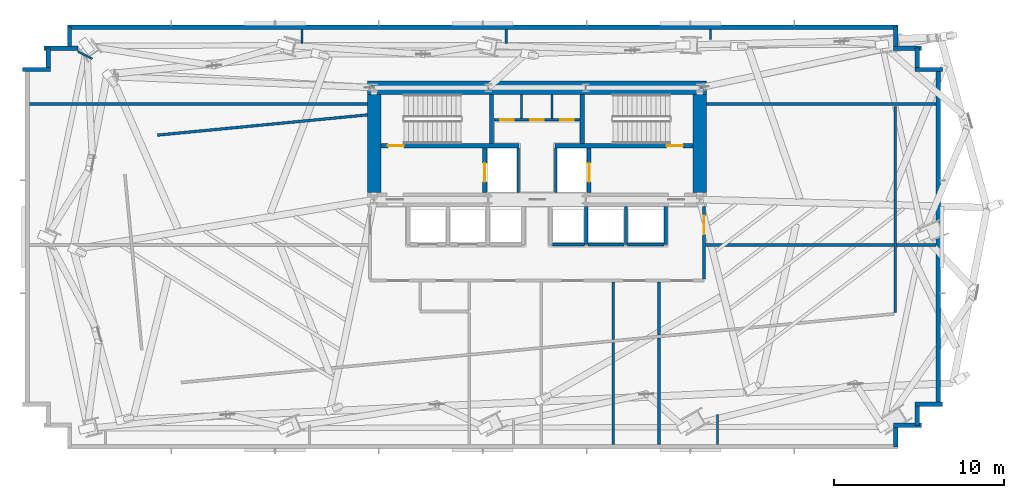
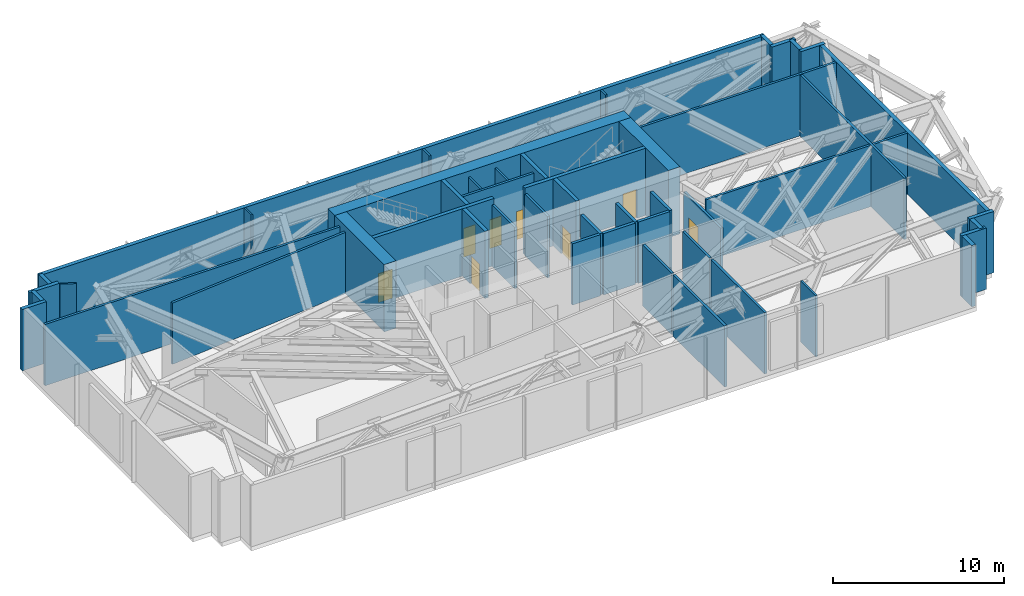
# One storey, part 7 of 11: 50 walls, 8 doors, 8 openings.
"""IFC4 building model written with IfcOpenShell, lengths in metres."""

from ifc_helpers import new_model, si_unit, direction, frame, frame_2d, origin, place, context, subcontext, project, spatial, rectangle, extrude, source, transform, mapped, material, layer, layer_set, type_object, type_shapes, element, fill, save


model = new_model("IFC4")

# Units and contexts
model_context = context("Model", 3, precision=1e-05, world=origin(), true_north=direction((0.0, 1.0)))
body_context = subcontext(model_context, "Body", "Model", "MODEL_VIEW")
ifc_project = project(units=[si_unit("LENGTHUNIT", "METRE"), si_unit("AREAUNIT", "SQUARE_METRE"), si_unit("VOLUMEUNIT", "CUBIC_METRE"), si_unit("PLANEANGLEUNIT", "RADIAN"), si_unit("MASSUNIT", "GRAM", prefix="KILO")], contexts=[model_context])

# Site, building, storey
site_placement = place(None, origin())
site = spatial("IfcSite", under=ifc_project, at=site_placement, CompositionType="ELEMENT")
building_placement = place(site_placement, origin())
building = spatial("IfcBuilding", under=site, at=building_placement, Name="Astriad Promenade Condominiums", CompositionType="ELEMENT")
storey_placement = place(building_placement, frame((0.0, 0.0, 67.800048828125)))
storey = spatial("IfcBuildingStorey", under=building, at=storey_placement, Name="L19", CompositionType="ELEMENT", Elevation=67.800048828125)

# Walls
ifc_material_1 = material(Name="Concrete C80/95", Category="concrete")
ifc_layer_1 = layer(ifc_material_1, 0.800048828125)
ifc_layer_set_1 = layer_set([ifc_layer_1], Name="Concrete C80/95")
wall_type_1 = type_object("IfcWallType", Name="CW-SHEAR-800", PredefinedType="SHEAR", material=ifc_layer_set_1)
wall_1_placement = place(storey_placement, frame((26.0, 24.0, 0.0), z_axis=(0.0, 0.0, 1.0), x_axis=(1.0, 0.0, 0.0)))
element("IfcWall", 1, at=wall_1_placement, inside=storey, type_object=wall_type_1, Name="CW-CORE-N-L19", PredefinedType="SHEAR", context=body_context, shape_type="SweptSolid", body=[
    extrude(rectangle(XDim=20.0, YDim=0.800048828125, at=frame_2d((10.0, 0.0))), origin(), (0.0, 0.0, 1.0), 4.800048828125),
])
for number, where, z_axis, x_axis, name in (
    (2, (26.39990234375, 17.802001953125, 0.0), (0.0, 0.0, 1.0), (0.0, 1.0, 0.0), "CW-CORE-W-L19"),
    (3, (45.60009765625, 17.802001953125, 0.0), (0.0, 0.0, 1.0), (0.0, 1.0, 0.0), "CW-CORE-E-L19"),
):
    element("IfcWall", number, at=place(storey_placement, frame(where, z_axis=z_axis, x_axis=x_axis)), inside=storey, type_object=wall_type_1, Name=name, PredefinedType="SHEAR", context=body_context, shape_type="SweptSolid", body=[
        extrude(rectangle(XDim=5.7958984375, YDim=0.800048828125, at=frame_2d((2.89794921875, 0.0))), origin(), (0.0, 0.0, 1.0), 4.800048828125),
    ])

# Wall, opening, door
ifc_material_2 = material(Name="Concrete C50/60", Category="concrete")
ifc_layer_2 = layer(ifc_material_2, 0.25)
ifc_layer_set_2 = layer_set([ifc_layer_2], Name="Concrete C50/60")
wall_type_2 = type_object("IfcWallType", Name="WALL-CORE-INT-250", PredefinedType="SOLIDWALL", material=ifc_layer_set_2)
wall_2_placement = place(storey_placement, frame((26.802001953125, 20.574951171875, 0.0), z_axis=(0.0, 0.0, 1.0), x_axis=(1.0, 0.0, 0.0)))
wall_2 = element("IfcWall", 4, at=wall_2_placement, inside=storey, type_object=wall_type_2, Name="CW-INT-H1-L19", PredefinedType="SOLIDWALL", context=body_context, shape_type="SweptSolid", body=[
    extrude(rectangle(XDim=8.14794921875, YDim=0.25, at=frame_2d((4.073974609375, 0.0))), origin(), (0.0, 0.0, 1.0), 4.800048828125),
])
opening_1_placement = place(wall_2_placement, frame((0.39794921875, 0.0, 0.0)))
opening_1 = element("IfcOpeningElement", 5, at=opening_1_placement, cuts=wall_2, Name="Opening FD90-ST-095", PredefinedType="OPENING", context=body_context, shape_type="SweptSolid", body=[
    extrude(rectangle(XDim=0.949951171875, YDim=2.06005859375, at=frame_2d((0.47509765625, 1.030029296875))), frame((0.0, 0.135009765625, 0.0), z_axis=(0.0, -1.0, 0.0), x_axis=(1.0, 0.0, 0.0)), (0.0, 0.0, 1.0), 0.27001953125),
])
ifc_material_3 = material(Name="Fire-Rated Hollow Metal Stair Door")
door_type_1 = type_object("IfcDoorType", Name="FD90-ST-095", OperationType="NOTDEFINED", PredefinedType="DOOR", material=ifc_material_3)
shared_shape_1 = source(origin(), body_context, "Body", "SweptSolid", [
    extrude(rectangle(XDim=0.949951171875, YDim=2.06005859375, at=frame_2d((0.47509765625, 1.030029296875))), frame((0.0, 0.02490234375, 0.0), z_axis=(0.0, -1.0, 0.0), x_axis=(1.0, 0.0, 0.0)), (0.0, 0.0, 1.0), 0.050048828125),
])
type_shapes(door_type_1, [shared_shape_1])
door_1_placement = place(opening_1_placement, origin())
door_1 = element("IfcDoor", 6, at=door_1_placement, inside=storey, type_object=door_type_1, Name="D-ST1-L19", OperationType="SINGLE_SWING_LEFT", OverallHeight=2.06005859375, OverallWidth=0.949951171875, PredefinedType="DOOR", context=body_context, shape_type="MappedRepresentation", body=[
    mapped(shared_shape_1, transform((0.0, 0.0, 0.0), scale=1.0)),
])
fill(opening_1, door_1)

wall_3_placement = place(storey_placement, frame((37.050048828125, 20.574951171875, 0.0), z_axis=(0.0, 0.0, 1.0), x_axis=(1.0, 0.0, 0.0)))
wall_3 = element("IfcWall", 7, at=wall_3_placement, inside=storey, type_object=wall_type_2, Name="CW-INT-H2-L19", PredefinedType="SOLIDWALL", context=body_context, shape_type="SweptSolid", body=[
    extrude(rectangle(XDim=8.14794921875, YDim=0.25, at=frame_2d((4.073974609375, 0.0))), origin(), (0.0, 0.0, 1.0), 4.800048828125),
])
opening_2_placement = place(wall_3_placement, frame((6.60009765625, 0.0, 0.0)))
opening_2 = element("IfcOpeningElement", 8, at=opening_2_placement, cuts=wall_3, Name="Opening FD90-ST-095", PredefinedType="OPENING", context=body_context, shape_type="SweptSolid", body=[
    extrude(rectangle(XDim=0.949951171875, YDim=2.06005859375, at=frame_2d((0.47509765625, 1.030029296875))), frame((0.0, 0.135009765625, 0.0), z_axis=(0.0, -1.0, 0.0), x_axis=(1.0, 0.0, 0.0)), (0.0, 0.0, 1.0), 0.27001953125),
])
door_2_placement = place(opening_2_placement, origin())
door_2 = element("IfcDoor", 9, at=door_2_placement, inside=storey, type_object=door_type_1, Name="D-ST2-L19", OperationType="SINGLE_SWING_RIGHT", OverallHeight=2.06005859375, OverallWidth=0.949951171875, PredefinedType="DOOR", context=body_context, shape_type="MappedRepresentation", body=[
    mapped(shared_shape_1, transform((0.0, 0.0, 0.0), scale=1.0)),
])
fill(opening_2, door_2)

# Walls
for number, where, z_axis, x_axis, name in (
    (10, (33.324951171875, 20.701904296875, 0.0), (0.0, 0.0, 1.0), (0.0, 1.0, 0.0), "CW-ST1-E-L19"),
    (11, (38.675048828125, 20.701904296875, 0.0), (0.0, 0.0, 1.0), (0.0, 1.0, 0.0), "CW-ST2-W-L19"),
):
    element("IfcWall", number, at=place(storey_placement, frame(where, z_axis=z_axis, x_axis=x_axis)), inside=storey, type_object=wall_type_2, Name=name, PredefinedType="SOLIDWALL", context=body_context, shape_type="SweptSolid", body=[
        extrude(rectangle(XDim=2.89599609375, YDim=0.25, at=frame_2d((1.447998046875, 0.0))), origin(), (0.0, 0.0, 1.0), 4.800048828125),
    ])

# Wall, opening, door
wall_4_placement = place(storey_placement, frame((32.925048828125, 17.802001953125, 0.0), z_axis=(0.0, 0.0, 1.0), x_axis=(0.0, 1.0, 0.0)))
wall_4 = element("IfcWall", 12, at=wall_4_placement, inside=storey, type_object=wall_type_2, Name="CW-FFL1-W-L19", PredefinedType="SOLIDWALL", context=body_context, shape_type="SweptSolid", body=[
    extrude(rectangle(XDim=2.64599609375, YDim=0.25, at=frame_2d((1.322998046875, 0.0))), origin(), (0.0, 0.0, 1.0), 4.800048828125),
])
opening_3_placement = place(wall_4_placement, frame((0.64794921875, 0.0, 0.0)))
opening_3 = element("IfcOpeningElement", 13, at=opening_3_placement, cuts=wall_4, Name="Opening LD-FFL-1122", PredefinedType="OPENING", context=body_context, shape_type="SweptSolid", body=[
    extrude(rectangle(XDim=1.10009765625, YDim=2.080078125, at=frame_2d((0.550048828125, 1.0400390625))), frame((0.0, 0.135009765625, 0.0), z_axis=(0.0, -1.0, 0.0), x_axis=(1.0, 0.0, 0.0)), (0.0, 0.0, 1.0), 0.27001953125),
])
ifc_material_4 = material(Name="Brushed Stainless Steel Fire Elevator Landing Door", Category="steel")
door_type_2 = type_object("IfcDoorType", Name="LD-FFL-1122", OperationType="NOTDEFINED", PredefinedType="DOOR", material=ifc_material_4)
shared_shape_2 = source(origin(), body_context, "Body", "SweptSolid", [
    extrude(rectangle(XDim=1.10009765625, YDim=2.080078125, at=frame_2d((0.550048828125, 1.0400390625))), frame((0.0, 0.02490234375, 0.0), z_axis=(0.0, -1.0, 0.0), x_axis=(1.0, 0.0, 0.0)), (0.0, 0.0, 1.0), 0.050048828125),
])
type_shapes(door_type_2, [shared_shape_2])
door_3_placement = place(opening_3_placement, origin())
door_3 = element("IfcDoor", 14, at=door_3_placement, inside=storey, type_object=door_type_2, Name="Elevator Landing Door FFL-1 (L19)", OperationType="SLIDING_TO_LEFT", OverallHeight=2.080078125, OverallWidth=1.10009765625, PredefinedType="DOOR", context=body_context, shape_type="MappedRepresentation", body=[
    mapped(shared_shape_2, transform((0.0, 0.0, 0.0), scale=1.0)),
])
fill(opening_3, door_3)

wall_5_placement = place(storey_placement, frame((39.074951171875, 17.802001953125, 0.0), z_axis=(0.0, 0.0, 1.0), x_axis=(0.0, 1.0, 0.0)))
wall_5 = element("IfcWall", 15, at=wall_5_placement, inside=storey, type_object=wall_type_2, Name="CW-FFL2-E-L19", PredefinedType="SOLIDWALL", context=body_context, shape_type="SweptSolid", body=[
    extrude(rectangle(XDim=2.64599609375, YDim=0.25, at=frame_2d((1.322998046875, 0.0))), origin(), (0.0, 0.0, 1.0), 4.800048828125),
])
opening_4_placement = place(wall_5_placement, frame((0.64794921875, 0.0, 0.0)))
opening_4 = element("IfcOpeningElement", 16, at=opening_4_placement, cuts=wall_5, Name="Opening LD-FFL-1122", PredefinedType="OPENING", context=body_context, shape_type="SweptSolid", body=[
    extrude(rectangle(XDim=1.10009765625, YDim=2.080078125, at=frame_2d((0.550048828125, 1.0400390625))), frame((0.0, 0.135009765625, 0.0), z_axis=(0.0, -1.0, 0.0), x_axis=(1.0, 0.0, 0.0)), (0.0, 0.0, 1.0), 0.27001953125),
])
door_4_placement = place(opening_4_placement, origin())
door_4 = element("IfcDoor", 17, at=door_4_placement, inside=storey, type_object=door_type_2, Name="Elevator Landing Door FFL-2 (L19)", OperationType="SLIDING_TO_RIGHT", OverallHeight=2.080078125, OverallWidth=1.10009765625, PredefinedType="DOOR", context=body_context, shape_type="MappedRepresentation", body=[
    mapped(shared_shape_2, transform((0.0, 0.0, 0.0), scale=1.0)),
])
fill(opening_4, door_4)

# Walls
ifc_material_5 = material(Name="Fire-Rated Gypsum Partition")
ifc_layer_3 = layer(ifc_material_5, 0.159912109375)
ifc_layer_set_3 = layer_set([ifc_layer_3], Name="Fire-Rated Gypsum Partition")
wall_type_3 = type_object("IfcWallType", Name="WALL-CORR-160", PredefinedType="PARTITIONING", material=ifc_layer_set_3)
for number, where, z_axis, x_axis, name in (
    (18, (34.89990234375, 17.802001953125, 0.0), (0.0, 0.0, 1.0), (0.0, 1.0, 0.0), "CW-FFL1-E-L19"),
    (19, (37.10009765625, 17.802001953125, 0.0), (0.0, 0.0, 1.0), (0.0, 1.0, 0.0), "CW-FFL2-W-L19"),
):
    element("IfcWall", number, at=place(storey_placement, frame(where, z_axis=z_axis, x_axis=x_axis)), inside=storey, type_object=wall_type_3, Name=name, PredefinedType="PARTITIONING", context=body_context, shape_type="SweptSolid", body=[
        extrude(rectangle(XDim=2.64599609375, YDim=0.159912109375, at=frame_2d((1.322998046875, 0.0))), origin(), (0.0, 0.0, 1.0), 4.3798828125),
    ])

# Wall, openings, doors
wall_6_placement = place(storey_placement, frame((33.451904296875, 22.10009765625, 0.0), z_axis=(0.0, 0.0, 1.0), x_axis=(1.0, 0.0, 0.0)))
wall_6 = element("IfcWall", 20, at=wall_6_placement, inside=storey, type_object=wall_type_3, Name="CW-AUX-N-L19", PredefinedType="PARTITIONING", context=body_context, shape_type="SweptSolid", body=[
    extrude(rectangle(XDim=5.09619140625, YDim=0.159912109375, at=frame_2d((2.548095703125, 0.0))), origin(), (0.0, 0.0, 1.0), 4.3798828125),
])
opening_5_placement = place(wall_6_placement, frame((0.387939453125, 0.0, 0.0)))
opening_5 = element("IfcOpeningElement", 21, at=opening_5_placement, cuts=wall_6, Name="Opening FD60-SV-080", PredefinedType="OPENING", context=body_context, shape_type="SweptSolid", body=[
    extrude(rectangle(XDim=0.800048828125, YDim=2.050048828125, at=frame_2d((0.39990234375, 1.02490234375))), frame((0.0, 0.08984375, 0.0), z_axis=(0.0, -1.0, 0.0), x_axis=(1.0, 0.0, 0.0)), (0.0, 0.0, 1.0), 0.179931640625),
])
opening_6_placement = place(wall_6_placement, frame((2.14794921875, 0.0, 0.0)))
opening_6 = element("IfcOpeningElement", 22, at=opening_6_placement, cuts=wall_6, Name="Opening FD60-SV-080", PredefinedType="OPENING", context=body_context, shape_type="SweptSolid", body=[
    extrude(rectangle(XDim=0.800048828125, YDim=2.050048828125, at=frame_2d((0.39990234375, 1.02490234375))), frame((0.0, 0.08984375, 0.0), z_axis=(0.0, -1.0, 0.0), x_axis=(1.0, 0.0, 0.0)), (0.0, 0.0, 1.0), 0.179931640625),
])
opening_7_placement = place(wall_6_placement, frame((3.907958984375, 0.0, 0.0)))
opening_7 = element("IfcOpeningElement", 23, at=opening_7_placement, cuts=wall_6, Name="Opening FD60-SV-080", PredefinedType="OPENING", context=body_context, shape_type="SweptSolid", body=[
    extrude(rectangle(XDim=0.800048828125, YDim=2.050048828125, at=frame_2d((0.39990234375, 1.02490234375))), frame((0.0, 0.08984375, 0.0), z_axis=(0.0, -1.0, 0.0), x_axis=(1.0, 0.0, 0.0)), (0.0, 0.0, 1.0), 0.179931640625),
])
ifc_material_6 = material(Name="Fire-Rated Riser Closet Door")
door_type_3 = type_object("IfcDoorType", Name="FD60-SV-080", OperationType="NOTDEFINED", PredefinedType="DOOR", material=ifc_material_6)
shared_shape_3 = source(origin(), body_context, "Body", "SweptSolid", [
    extrude(rectangle(XDim=0.800048828125, YDim=2.050048828125, at=frame_2d((0.39990234375, 1.02490234375))), frame((0.0, 0.02490234375, 0.0), z_axis=(0.0, -1.0, 0.0), x_axis=(1.0, 0.0, 0.0)), (0.0, 0.0, 1.0), 0.050048828125),
])
type_shapes(door_type_3, [shared_shape_3])
door_5_placement = place(opening_5_placement, origin())
door_5 = element("IfcDoor", 24, at=door_5_placement, inside=storey, type_object=door_type_3, Name="D-AUX1-L19", OperationType="SINGLE_SWING_LEFT", OverallHeight=2.050048828125, OverallWidth=0.800048828125, PredefinedType="DOOR", context=body_context, shape_type="MappedRepresentation", body=[
    mapped(shared_shape_3, transform((0.0, 0.0, 0.0), scale=1.0)),
])
fill(opening_5, door_5)
door_6_placement = place(opening_6_placement, origin())
door_6 = element("IfcDoor", 25, at=door_6_placement, inside=storey, type_object=door_type_3, Name="D-AUX2-L19", OperationType="SINGLE_SWING_RIGHT", OverallHeight=2.050048828125, OverallWidth=0.800048828125, PredefinedType="DOOR", context=body_context, shape_type="MappedRepresentation", body=[
    mapped(shared_shape_3, transform((0.0, 0.0, 0.0), scale=1.0)),
])
fill(opening_6, door_6)
door_7_placement = place(opening_7_placement, origin())
door_7 = element("IfcDoor", 26, at=door_7_placement, inside=storey, type_object=door_type_3, Name="D-AUX3-L19", OperationType="SINGLE_SWING_LEFT", OverallHeight=2.050048828125, OverallWidth=0.800048828125, PredefinedType="DOOR", context=body_context, shape_type="MappedRepresentation", body=[
    mapped(shared_shape_3, transform((0.0, 0.0, 0.0), scale=1.0)),
])
fill(opening_7, door_7)

# Walls
wall_7_placement = place(storey_placement, frame((57.1298828125, 22.89697265625, 0.0), z_axis=(0.0, 0.0, 1.0), x_axis=(0.0, -1.0, 0.0)))
element("IfcWall", 27, at=wall_7_placement, inside=storey, type_object=wall_type_3, Name="PT-L19-BTR-01", PredefinedType="PARTITIONING", context=body_context, shape_type="SweptSolid", body=[
    extrude(rectangle(XDim=12.161865234375, YDim=0.159912109375, at=frame_2d((6.0810546875, 0.0))), origin(), (0.0, 0.0, 1.0), 4.3798828125),
])
wall_8_placement = place(storey_placement, frame((13.615966796875, 21.199951171875, 0.0), z_axis=(0.0, 0.0, 1.0), x_axis=(0.995389626861, 0.095913975718, 0.0)))
element("IfcWall", 28, at=wall_8_placement, inside=storey, type_object=wall_type_3, Name="PT-L19-BTR-04", PredefinedType="PARTITIONING", context=body_context, shape_type="SweptSolid", body=[
    extrude(rectangle(XDim=12.439453125, YDim=0.159912109375, at=frame_2d((6.2197265625, 0.0))), origin(), (0.0, 0.0, 1.0), 4.3798828125),
])
wall_9_placement = place(storey_placement, frame((6.06201171875, 23.0400390625, 0.0), z_axis=(0.0, 0.0, 1.0), x_axis=(1.0, 0.0, 0.0)))
element("IfcWall", 29, at=wall_9_placement, inside=storey, type_object=wall_type_3, Name="PT-L19-OUTW", PredefinedType="PARTITIONING", context=body_context, shape_type="SweptSolid", body=[
    extrude(rectangle(XDim=19.93603515625, YDim=0.159912109375, at=frame_2d((9.968017578125, 0.0))), origin(), (0.0, 0.0, 1.0), 4.3798828125),
])
wall_10_placement = place(storey_placement, frame((46.001953125, 23.0400390625, 0.0), z_axis=(0.0, 0.0, 1.0), x_axis=(1.0, 0.0, 0.0)))
element("IfcWall", 30, at=wall_10_placement, inside=storey, type_object=wall_type_3, Name="PT-L19-OUTE", PredefinedType="PARTITIONING", context=body_context, shape_type="SweptSolid", body=[
    extrude(rectangle(XDim=13.5361328125, YDim=0.159912109375, at=frame_2d((6.76806640625, 0.0))), origin(), (0.0, 0.0, 1.0), 4.3798828125),
])

# Wall, opening, door
wall_11_placement = place(storey_placement, frame((45.85009765625, 12.701904296875, 0.0), z_axis=(0.0, 0.0, 1.0), x_axis=(0.0, 1.0, 0.0)))
wall_11 = element("IfcWall", 31, at=wall_11_placement, inside=storey, type_object=wall_type_3, Name="PT-L19-PCE", PredefinedType="PARTITIONING", context=body_context, shape_type="SweptSolid", body=[
    extrude(rectangle(XDim=4.296142578125, YDim=0.159912109375, at=frame_2d((2.14794921875, 0.0))), origin(), (0.0, 0.0, 1.0), 3.576171875),
])
opening_8_placement = place(wall_11_placement, frame((2.64794921875, 0.0, 0.0)))
opening_8 = element("IfcOpeningElement", 32, at=opening_8_placement, cuts=wall_11, Name="Opening FD90-REF-1121", PredefinedType="OPENING", context=body_context, shape_type="SweptSolid", body=[
    extrude(rectangle(XDim=1.10009765625, YDim=2.06005859375, at=frame_2d((0.550048828125, 1.030029296875))), frame((0.0, 0.08984375, 0.0), z_axis=(0.0, -1.0, 0.0), x_axis=(1.0, 0.0, 0.0)), (0.0, 0.0, 1.0), 0.179931640625),
])
ifc_material_7 = material(Name="Fire-Rated Refuge Door")
door_type_4 = type_object("IfcDoorType", Name="FD90-REF-1121", OperationType="NOTDEFINED", PredefinedType="DOOR", material=ifc_material_7)
shared_shape_4 = source(origin(), body_context, "Body", "SweptSolid", [
    extrude(rectangle(XDim=1.10009765625, YDim=2.06005859375, at=frame_2d((0.550048828125, 1.030029296875))), frame((0.0, 0.02490234375, 0.0), z_axis=(0.0, -1.0, 0.0), x_axis=(1.0, 0.0, 0.0)), (0.0, 0.0, 1.0), 0.050048828125),
])
type_shapes(door_type_4, [shared_shape_4])
door_8_placement = place(opening_8_placement, origin())
door_8 = element("IfcDoor", 33, at=door_8_placement, inside=storey, type_object=door_type_4, Name="D-L19-REFE", OperationType="SINGLE_SWING_LEFT", OverallHeight=2.06005859375, OverallWidth=1.10009765625, PredefinedType="DOOR", context=body_context, shape_type="MappedRepresentation", body=[
    mapped(shared_shape_4, transform((0.0, 0.0, 0.0), scale=1.0)),
])
fill(opening_8, door_8)

# Walls
wall_12_placement = place(storey_placement, frame((45.931884765625, 14.719970703125, 0.0), z_axis=(0.0, 0.0, 1.0), x_axis=(1.0, 0.0, 0.0)))
element("IfcWall", 34, at=wall_12_placement, inside=storey, type_object=wall_type_3, Name="PT-L19-PCNE", PredefinedType="PARTITIONING", context=body_context, shape_type="SweptSolid", body=[
    extrude(rectangle(XDim=11.1162109375, YDim=0.159912109375, at=frame_2d((5.55810546875, 0.0))), origin(), (0.0, 0.0, 1.0), 4.3798828125),
])
wall_13_placement = place(storey_placement, frame((57.2119140625, 14.719970703125, 0.0), z_axis=(0.0, 0.0, 1.0), x_axis=(1.0, 0.0, 0.0)))
element("IfcWall", 35, at=wall_13_placement, inside=storey, type_object=wall_type_3, Name="PT-L19-PCNE-S2", PredefinedType="PARTITIONING", context=body_context, shape_type="SweptSolid", body=[
    extrude(rectangle(XDim=2.326171875, YDim=0.159912109375, at=frame_2d((1.1630859375, 0.0))), origin(), (0.0, 0.0, 1.0), 4.3798828125),
])
wall_14_placement = place(storey_placement, frame((40.5, 2.9619140625, 0.0), z_axis=(0.0, 0.0, 1.0), x_axis=(0.0, 1.0, 0.0)))
element("IfcWall", 36, at=wall_14_placement, inside=storey, type_object=wall_type_3, Name="PT-L19-PV3", PredefinedType="PARTITIONING", context=body_context, shape_type="SweptSolid", body=[
    extrude(rectangle(XDim=6.01708984375, YDim=0.159912109375, at=frame_2d((3.008544921875, 0.0))), origin(), (0.0, 0.0, 1.0), 4.3798828125),
])
wall_15_placement = place(storey_placement, frame((40.5, 9.143798828125, 0.0), z_axis=(0.0, 0.0, 1.0), x_axis=(0.0, 1.0, 0.0)))
element("IfcWall", 37, at=wall_15_placement, inside=storey, type_object=wall_type_3, Name="PT-L19-PV3-S2", PredefinedType="PARTITIONING", context=body_context, shape_type="SweptSolid", body=[
    extrude(rectangle(XDim=3.394287109375, YDim=0.159912109375, at=frame_2d((1.697265625, 0.0))), origin(), (0.0, 0.0, 1.0), 4.3798828125),
])
wall_16_placement = place(storey_placement, frame((43.199951171875, 2.9619140625, 0.0), z_axis=(0.0, 0.0, 1.0), x_axis=(0.0, 1.0, 0.0)))
element("IfcWall", 38, at=wall_16_placement, inside=storey, type_object=wall_type_3, Name="PT-L19-PV4", PredefinedType="PARTITIONING", context=body_context, shape_type="SweptSolid", body=[
    extrude(rectangle(XDim=6.277099609375, YDim=0.159912109375, at=frame_2d((3.138671875, 0.0))), origin(), (0.0, 0.0, 1.0), 4.3798828125),
])
wall_17_placement = place(storey_placement, frame((43.199951171875, 9.40380859375, 0.0), z_axis=(0.0, 0.0, 1.0), x_axis=(0.0, 1.0, 0.0)))
element("IfcWall", 39, at=wall_17_placement, inside=storey, type_object=wall_type_3, Name="PT-L19-PV4-S2", PredefinedType="PARTITIONING", context=body_context, shape_type="SweptSolid", body=[
    extrude(rectangle(XDim=3.13427734375, YDim=0.159912109375, at=frame_2d((1.567138671875, 0.0))), origin(), (0.0, 0.0, 1.0), 4.3798828125),
])
ifc_material_8 = material(Name="Precast concrete C50/60", Category="concrete")
ifc_layer_4 = layer(ifc_material_8, 0.260009765625)
ifc_layer_set_4 = layer_set([ifc_layer_4], Name="Precast concrete C50/60")
wall_type_4 = type_object("IfcWallType", Name="WALL-EXT-TWR-260", PredefinedType="STANDARD", material=ifc_layer_set_4)
wall_18_placement = place(storey_placement, frame((5.669921875, 25.070068359375, 0.0), z_axis=(0.0, 0.0, 1.0), x_axis=(1.0, 0.0, 0.0)))
element("IfcWall", 40, at=wall_18_placement, inside=storey, type_object=wall_type_4, Name="W-SER-L19-04", PredefinedType="STANDARD", context=body_context, shape_type="SweptSolid", body=[
    extrude(rectangle(XDim=1.64013671875, YDim=0.260009765625, at=frame_2d((0.820068359375, 0.0))), origin(), (0.0, 0.0, 1.0), 4.3798828125),
])
wall_19_placement = place(storey_placement, frame((7.179931640625, 25.18505859375, 0.0), z_axis=(0.0, 0.0, 1.0), x_axis=(0.0, 1.0, 0.0)))
element("IfcWall", 41, at=wall_19_placement, inside=storey, type_object=wall_type_4, Name="W-SER-L19-05", PredefinedType="STANDARD", context=body_context, shape_type="SweptSolid", body=[
    extrude(rectangle(XDim=1.14990234375, YDim=0.260009765625, at=frame_2d((0.574951171875, 0.0))), origin(), (0.0, 0.0, 1.0), 4.3798828125),
])
wall_20_placement = place(storey_placement, frame((6.919921875, 26.320068359375, 0.0), z_axis=(0.0, 0.0, 1.0), x_axis=(1.0, 0.0, 0.0)))
element("IfcWall", 42, at=wall_20_placement, inside=storey, type_object=wall_type_4, Name="W-SER-L19-06", PredefinedType="STANDARD", context=body_context, shape_type="SweptSolid", body=[
    extrude(rectangle(XDim=1.998291015625, YDim=0.260009765625, at=frame_2d((0.9990234375, 0.0))), origin(), (0.0, 0.0, 1.0), 4.3798828125),
])
wall_21_placement = place(storey_placement, frame((8.429931640625, 26.43505859375, 0.0), z_axis=(0.0, 0.0, 1.0), x_axis=(0.0, 1.0, 0.0)))
element("IfcWall", 43, at=wall_21_placement, inside=storey, type_object=wall_type_4, Name="W-SER-L19-07", PredefinedType="STANDARD", context=body_context, shape_type="SweptSolid", body=[
    extrude(rectangle(XDim=1.14990234375, YDim=0.260009765625, at=frame_2d((0.574951171875, 0.0))), origin(), (0.0, 0.0, 1.0), 4.3798828125),
])
wall_22_placement = place(storey_placement, frame((8.300048828125, 27.570068359375, 0.0), z_axis=(0.0, 0.0, 1.0), x_axis=(1.0, 0.0, 0.0)))
element("IfcWall", 44, at=wall_22_placement, inside=storey, type_object=wall_type_4, Name="W-PLT-L19-N", PredefinedType="STANDARD", context=body_context, shape_type="SweptSolid", body=[
    extrude(rectangle(XDim=49.0, YDim=0.260009765625, at=frame_2d((24.5, 0.0))), origin(), (0.0, 0.0, 1.0), 4.3798828125),
])
wall_23_placement = place(storey_placement, frame((57.169921875, 27.5849609375, 0.0), z_axis=(0.0, 0.0, 1.0), x_axis=(0.0, -1.0, 0.0)))
element("IfcWall", 45, at=wall_23_placement, inside=storey, type_object=wall_type_4, Name="W-SER-L19-09", PredefinedType="STANDARD", context=body_context, shape_type="SweptSolid", body=[
    extrude(rectangle(XDim=1.14990234375, YDim=0.260009765625, at=frame_2d((0.574951171875, 0.0))), origin(), (0.0, 0.0, 1.0), 4.3798828125),
])
wall_24_placement = place(storey_placement, frame((57.0400390625, 26.320068359375, 0.0), z_axis=(0.0, 0.0, 1.0), x_axis=(1.0, 0.0, 0.0)))
element("IfcWall", 46, at=wall_24_placement, inside=storey, type_object=wall_type_4, Name="W-SER-L19-10", PredefinedType="STANDARD", context=body_context, shape_type="SweptSolid", body=[
    extrude(rectangle(XDim=1.639892578125, YDim=0.260009765625, at=frame_2d((0.81982421875, 0.0))), origin(), (0.0, 0.0, 1.0), 4.3798828125),
])
wall_25_placement = place(storey_placement, frame((58.419921875, 26.3349609375, 0.0), z_axis=(0.0, 0.0, 1.0), x_axis=(0.0, -1.0, 0.0)))
element("IfcWall", 47, at=wall_25_placement, inside=storey, type_object=wall_type_4, Name="W-SER-L19-11", PredefinedType="STANDARD", context=body_context, shape_type="SweptSolid", body=[
    extrude(rectangle(XDim=1.14990234375, YDim=0.260009765625, at=frame_2d((0.574951171875, 0.0))), origin(), (0.0, 0.0, 1.0), 4.3798828125),
])
wall_26_placement = place(storey_placement, frame((58.2900390625, 25.070068359375, 0.0), z_axis=(0.0, 0.0, 1.0), x_axis=(1.0, 0.0, 0.0)))
element("IfcWall", 48, at=wall_26_placement, inside=storey, type_object=wall_type_4, Name="W-SER-L19-12", PredefinedType="STANDARD", context=body_context, shape_type="SweptSolid", body=[
    extrude(rectangle(XDim=1.639892578125, YDim=0.260009765625, at=frame_2d((0.81982421875, 0.0))), origin(), (0.0, 0.0, 1.0), 4.3798828125),
])
wall_27_placement = place(storey_placement, frame((59.669921875, 25.199951171875, 0.0), z_axis=(0.0, 0.0, 1.0), x_axis=(0.0, -1.0, 0.0)))
element("IfcWall", 49, at=wall_27_placement, inside=storey, type_object=wall_type_4, Name="W-PLT-L19-E", PredefinedType="STANDARD", context=body_context, shape_type="SweptSolid", body=[
    extrude(rectangle(XDim=20.0, YDim=0.260009765625, at=frame_2d((10.0, 0.0))), origin(), (0.0, 0.0, 1.0), 4.3798828125),
])
wall_28_placement = place(storey_placement, frame((59.929931640625, 5.330078125, 0.0), z_axis=(0.0, 0.0, 1.0), x_axis=(-1.0, 0.0, 0.0)))
element("IfcWall", 50, at=wall_28_placement, inside=storey, type_object=wall_type_4, Name="W-SER-L19-14", PredefinedType="STANDARD", context=body_context, shape_type="SweptSolid", body=[
    extrude(rectangle(XDim=1.639892578125, YDim=0.260009765625, at=frame_2d((0.81982421875, 0.0))), origin(), (0.0, 0.0, 1.0), 4.3798828125),
])
wall_29_placement = place(storey_placement, frame((58.419921875, 5.215087890625, 0.0), z_axis=(0.0, 0.0, 1.0), x_axis=(0.0, -1.0, 0.0)))
element("IfcWall", 51, at=wall_29_placement, inside=storey, type_object=wall_type_4, Name="W-SER-L19-15", PredefinedType="STANDARD", context=body_context, shape_type="SweptSolid", body=[
    extrude(rectangle(XDim=1.150146484375, YDim=0.260009765625, at=frame_2d((0.5751953125, 0.0))), origin(), (0.0, 0.0, 1.0), 4.3798828125),
])
wall_30_placement = place(storey_placement, frame((58.679931640625, 4.080078125, 0.0), z_axis=(0.0, 0.0, 1.0), x_axis=(-1.0, 0.0, 0.0)))
element("IfcWall", 52, at=wall_30_placement, inside=storey, type_object=wall_type_4, Name="W-SER-L19-16", PredefinedType="STANDARD", context=body_context, shape_type="SweptSolid", body=[
    extrude(rectangle(XDim=1.639892578125, YDim=0.260009765625, at=frame_2d((0.81982421875, 0.0))), origin(), (0.0, 0.0, 1.0), 4.3798828125),
])
wall_31_placement = place(storey_placement, frame((57.169921875, 3.965087890625, 0.0), z_axis=(0.0, 0.0, 1.0), x_axis=(0.0, -1.0, 0.0)))
element("IfcWall", 53, at=wall_31_placement, inside=storey, type_object=wall_type_4, Name="W-SER-L19-17", PredefinedType="STANDARD", context=body_context, shape_type="SweptSolid", body=[
    extrude(rectangle(XDim=1.150146484375, YDim=0.260009765625, at=frame_2d((0.5751953125, 0.0))), origin(), (0.0, 0.0, 1.0), 4.3798828125),
])
ifc_material_9 = material(Name="Acoustic Metal-Stud Gypsum Partition")
ifc_layer_5 = layer(ifc_material_9, 0.1201171875)
ifc_layer_set_5 = layer_set([ifc_layer_5], Name="Acoustic Metal-Stud Gypsum Partition")
wall_type_5 = type_object("IfcWallType", Name="WALL-PART-120", PredefinedType="PARTITIONING", material=ifc_layer_set_5)
for number, where, z_axis, x_axis, name in (
    (54, (35.10009765625, 22.181884765625, 0.0), (0.0, 0.0, 1.0), (0.0, 1.0, 0.0), "CW-AUX-V1-L19"),
    (55, (36.89990234375, 22.181884765625, 0.0), (0.0, 0.0, 1.0), (0.0, 1.0, 0.0), "CW-AUX-V2-L19"),
):
    element("IfcWall", number, at=place(storey_placement, frame(where, z_axis=z_axis, x_axis=x_axis)), inside=storey, type_object=wall_type_5, Name=name, PredefinedType="PARTITIONING", context=body_context, shape_type="SweptSolid", body=[
        extrude(rectangle(XDim=1.416015625, YDim=0.1201171875, at=frame_2d((0.7080078125, 0.0))), origin(), (0.0, 0.0, 1.0), 4.3798828125),
    ])
wall_32_placement = place(storey_placement, frame((46.646240234375, 4.72412109375, 0.0), z_axis=(0.0, 0.0, 1.0), x_axis=(0.0, -1.0, 0.0)))
element("IfcWall", 56, at=wall_32_placement, inside=storey, type_object=wall_type_5, Name="PT-PIL-L19-PC04-11", PredefinedType="PARTITIONING", context=body_context, shape_type="SweptSolid", body=[
    extrude(rectangle(XDim=1.76220703125, YDim=0.1201171875, at=frame_2d((0.881103515625, 0.0))), origin(), (0.0, 0.0, 1.0), 4.3798828125),
])
wall_33_placement = place(storey_placement, frame((9.779541015625, 25.703369140625, 0.0), z_axis=(0.0, 0.0, 1.0), x_axis=(-0.892801730602, 0.450449852741, 0.0)))
element("IfcWall", 57, at=wall_33_placement, inside=storey, type_object=wall_type_5, Name="PT-PIL-L19-PC06-13", PredefinedType="PARTITIONING", context=body_context, shape_type="SweptSolid", body=[
    extrude(rectangle(XDim=0.96484375, YDim=0.1201171875, at=frame_2d((0.482421875, 0.0))), origin(), (0.0, 0.0, 1.0), 4.3798828125),
])
for number, where, z_axis, x_axis, name in (
    (58, (22.15380859375, 26.614990234375, 0.0), (0.0, 0.0, 1.0), (0.0, 1.0, 0.0), "PT-PIL-L19-PC07-14"),
    (59, (34.188720703125, 26.614990234375, 0.0), (0.0, 0.0, 1.0), (0.0, 1.0, 0.0), "PT-PIL-L19-PC08-15"),
):
    element("IfcWall", number, at=place(storey_placement, frame(where, z_axis=z_axis, x_axis=x_axis)), inside=storey, type_object=wall_type_5, Name=name, PredefinedType="PARTITIONING", context=body_context, shape_type="SweptSolid", body=[
        extrude(rectangle(XDim=0.822998046875, YDim=0.1201171875, at=frame_2d((0.41162109375, 0.0))), origin(), (0.0, 0.0, 1.0), 4.3798828125),
    ])
wall_34_placement = place(storey_placement, frame((46.2236328125, 26.853759765625, 0.0), z_axis=(0.0, 0.0, 1.0), x_axis=(0.0, 1.0, 0.0)))
element("IfcWall", 60, at=wall_34_placement, inside=storey, type_object=wall_type_5, Name="PT-PIL-L19-PC09-16", PredefinedType="PARTITIONING", context=body_context, shape_type="SweptSolid", body=[
    extrude(rectangle(XDim=0.584228515625, YDim=0.1201171875, at=frame_2d((0.2919921875, 0.0))), origin(), (0.0, 0.0, 1.0), 4.3798828125),
])
ifc_material_10 = material(Name="Gypsum Shaftliner Assembly")
ifc_layer_6 = layer(ifc_material_10, 0.199951171875)
ifc_layer_set_6 = layer_set([ifc_layer_6], Name="Gypsum Shaftliner Assembly")
wall_type_6 = type_object("IfcWallType", Name="WALL-SHAFT-200", PredefinedType="PARTITIONING", material=ifc_layer_set_6)
wall_35_placement = place(storey_placement, frame((38.89990234375, 14.75, 0.0), z_axis=(0.0, 0.0, 1.0), x_axis=(0.0, 1.0, 0.0)))
element("IfcWall", 61, at=wall_35_placement, inside=storey, type_object=wall_type_6, Name="PL-MH-DIV-L19", PredefinedType="PARTITIONING", context=body_context, shape_type="SweptSolid", body=[
    extrude(rectangle(XDim=2.248046875, YDim=0.199951171875, at=frame_2d((1.1240234375, 0.0))), origin(), (0.0, 0.0, 1.0), 4.3798828125),
])
wall_36_placement = place(storey_placement, frame((36.902099609375, 14.75, 0.0), z_axis=(0.0, 0.0, 1.0), x_axis=(1.0, 0.0, 0.0)))
element("IfcWall", 62, at=wall_36_placement, inside=storey, type_object=wall_type_6, Name="PL-M2-F-L19", PredefinedType="PARTITIONING", context=body_context, shape_type="SweptSolid", body=[
    extrude(rectangle(XDim=1.89599609375, YDim=0.199951171875, at=frame_2d((0.947998046875, 0.0))), origin(), (0.0, 0.0, 1.0), 4.3798828125),
])
for number, where, z_axis, x_axis, name in (
    (63, (41.25, 14.75, 0.0), (0.0, 0.0, 1.0), (0.0, 1.0, 0.0), "PL-H-DIV-L19"),
    (64, (43.60009765625, 14.75, 0.0), (0.0, 0.0, 1.0), (0.0, 1.0, 0.0), "PL-E-OUT-L19"),
):
    element("IfcWall", number, at=place(storey_placement, frame(where, z_axis=z_axis, x_axis=x_axis)), inside=storey, type_object=wall_type_6, Name=name, PredefinedType="PARTITIONING", context=body_context, shape_type="SweptSolid", body=[
        extrude(rectangle(XDim=2.248046875, YDim=0.199951171875, at=frame_2d((1.1240234375, 0.0))), origin(), (0.0, 0.0, 1.0), 4.3798828125),
    ])
for number, where, z_axis, x_axis, name in (
    (65, (39.001953125, 14.75, 0.0), (0.0, 0.0, 1.0), (1.0, 0.0, 0.0), "PL-H-FRT-L19"),
    (66, (41.35205078125, 14.75, 0.0), (0.0, 0.0, 1.0), (1.0, 0.0, 0.0), "PL-H-FRT-L19-S2"),
):
    element("IfcWall", number, at=place(storey_placement, frame(where, z_axis=z_axis, x_axis=x_axis)), inside=storey, type_object=wall_type_6, Name=name, PredefinedType="PARTITIONING", context=body_context, shape_type="SweptSolid", body=[
        extrude(rectangle(XDim=2.14599609375, YDim=0.199951171875, at=frame_2d((1.072998046875, 0.0))), origin(), (0.0, 0.0, 1.0), 4.3798828125),
    ])

save(model, "model.ifc")
